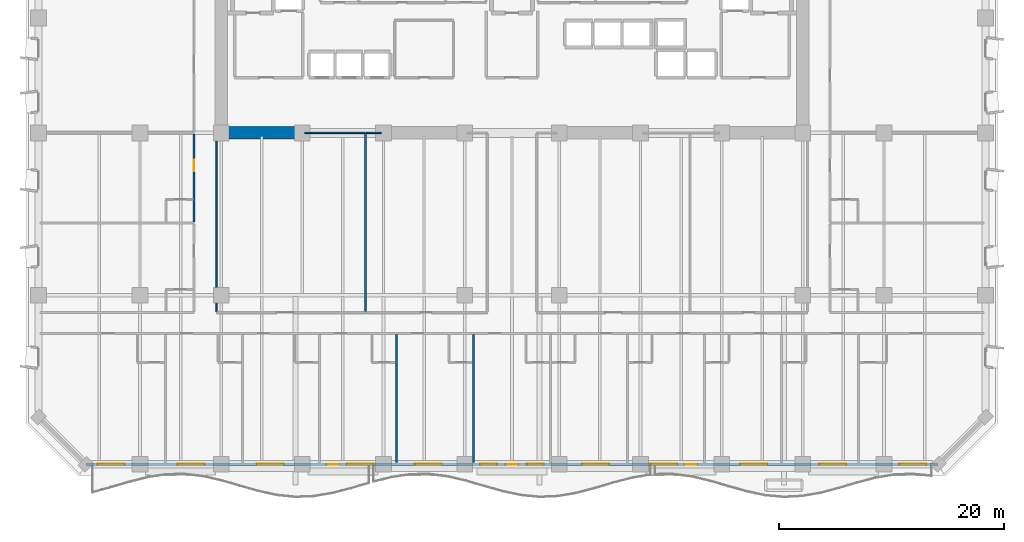
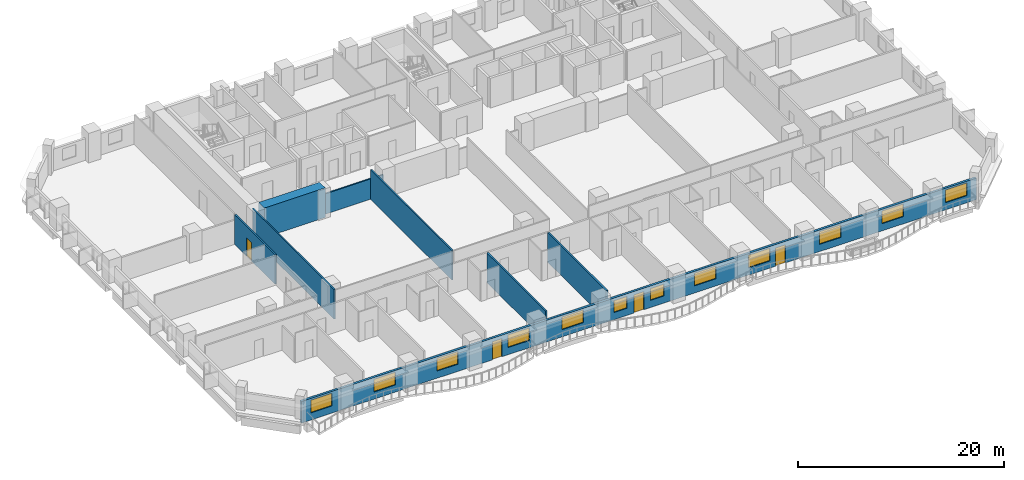
# One storey, part 5 of 15: 12 windows, 9 walls, 4 doors, 16 openings.
"""IFC4 building model written with IfcOpenShell, lengths in metres."""

from ifc_helpers import new_model, si_unit, direction, frame, frame_2d, origin, place, context, subcontext, project, spatial, rectangle, extrude, material, layer, layer_set, type_object, element, fill, save


model = new_model("IFC4")

# Units and contexts
model_context = context("Model", 3, precision=1e-05, world=origin(), true_north=direction((0.0, 1.0)))
body_context = subcontext(model_context, "Body", "Model", "MODEL_VIEW")
ifc_project = project(units=[si_unit("LENGTHUNIT", "METRE"), si_unit("AREAUNIT", "SQUARE_METRE"), si_unit("VOLUMEUNIT", "CUBIC_METRE"), si_unit("PLANEANGLEUNIT", "RADIAN"), si_unit("MASSUNIT", "GRAM", prefix="KILO")], contexts=[model_context])

# Site, building, storey
site_placement = place(None, origin())
site = spatial("IfcSite", under=ifc_project, at=site_placement, CompositionType="ELEMENT")
building_placement = place(site_placement, origin())
building = spatial("IfcBuilding", under=site, at=building_placement, Name="Kaelvorn Grand Hotel", CompositionType="ELEMENT")
storey_placement = place(building_placement, frame((0.0, 0.0, 50.14990234375)))
storey = spatial("IfcBuildingStorey", under=building, at=storey_placement, Name="L10", CompositionType="ELEMENT", Elevation=50.14990234375)

# Wall
ifc_material_1 = material(Name="Concrete C80/95", Category="concrete")
ifc_layer_1 = layer(ifc_material_1, 1.10009765625)
ifc_layer_set_1 = layer_set([ifc_layer_1], Name="Concrete C80/95")
wall_type_1 = type_object("IfcWallType", Name="WL-CORE-1100-C80", PredefinedType="SHEAR", material=ifc_layer_set_1)
wall_1_placement = place(storey_placement, frame((16.7548828125, 29.39990234375, 0.0), z_axis=(0.0, 0.0, 1.0), x_axis=(1.0, 0.0, 0.0)))
element("IfcWall", 1, at=wall_1_placement, inside=storey, type_object=wall_type_1, Name="L10 Rear-Core Coupled Shear Pier S1", PredefinedType="SHEAR", context=body_context, shape_type="SweptSolid", body=[
    extrude(rectangle(XDim=6.84521484375, YDim=1.10009765625, at=frame_2d((3.422607421875, 0.0))), origin(), (0.0, 0.0, 1.0), 3.510009765625),
])

# Wall, openings, doors, windows
ifc_material_2 = material(Name="Concrete C40/50", Category="concrete")
ifc_layer_2 = layer(ifc_material_2, 0.260009765625)
ifc_layer_set_2 = layer_set([ifc_layer_2], Name="Concrete C40/50")
wall_type_2 = type_object("IfcWallType", Name="WL-EXT-260-C40", PredefinedType="SOLIDWALL", material=ifc_layer_set_2)
wall_2_placement = place(storey_placement, frame((4.199951171875, 0.0, 0.0), z_axis=(0.0, 0.0, 1.0), x_axis=(1.0, 0.0, 0.0)))
wall_2 = element("IfcWall", 2, at=wall_2_placement, inside=storey, type_object=wall_type_2, Name="L10 Exterior Architectural Concrete Wall 01", PredefinedType="SOLIDWALL", context=body_context, shape_type="SweptSolid", body=[
    extrude(rectangle(XDim=75.60009765625, YDim=0.260009765625, at=frame_2d((37.800048828125, 0.0))), origin(), (0.0, 0.0, 1.0), 2.56005859375),
])
opening_1_placement = place(wall_2_placement, frame((21.38330078125, 0.0, 0.0)))
opening_1 = element("IfcOpeningElement", 3, at=opening_1_placement, cuts=wall_2, Name="Opening DE2", PredefinedType="OPENING", context=body_context, shape_type="SweptSolid", body=[
    extrude(rectangle(XDim=1.10009765625, YDim=2.14990234375, at=frame_2d((0.550048828125, 1.074951171875))), frame((0.0, 0.14013671875, 0.0), z_axis=(0.0, -1.0, 0.0), x_axis=(1.0, 0.0, 0.0)), (0.0, 0.0, 1.0), 0.280029296875),
])
opening_2_placement = place(wall_2_placement, frame((37.25, 0.0, 0.0)))
opening_2 = element("IfcOpeningElement", 4, at=opening_2_placement, cuts=wall_2, Name="Opening DE2", PredefinedType="OPENING", context=body_context, shape_type="SweptSolid", body=[
    extrude(rectangle(XDim=1.10009765625, YDim=2.14990234375, at=frame_2d((0.550048828125, 1.074951171875))), frame((0.0, 0.14013671875, 0.0), z_axis=(0.0, -1.0, 0.0), x_axis=(1.0, 0.0, 0.0)), (0.0, 0.0, 1.0), 0.280029296875),
])
opening_3_placement = place(wall_2_placement, frame((53.11669921875, 0.0, 0.0)))
opening_3 = element("IfcOpeningElement", 5, at=opening_3_placement, cuts=wall_2, Name="Opening DE2", PredefinedType="OPENING", context=body_context, shape_type="SweptSolid", body=[
    extrude(rectangle(XDim=1.10009765625, YDim=2.14990234375, at=frame_2d((0.550048828125, 1.074951171875))), frame((0.0, 0.14013671875, 0.0), z_axis=(0.0, -1.0, 0.0), x_axis=(1.0, 0.0, 0.0)), (0.0, 0.0, 1.0), 0.280029296875),
])
opening_4_placement = place(wall_2_placement, frame((1.034912109375, 0.0, 0.85009765625)))
opening_4 = element("IfcOpeningElement", 6, at=opening_4_placement, cuts=wall_2, Name="Opening W6", PredefinedType="OPENING", context=body_context, shape_type="SweptSolid", body=[
    extrude(rectangle(XDim=2.39990234375, YDim=1.5, at=frame_2d((1.199951171875, 0.75))), frame((0.0, 0.14013671875, 0.0), z_axis=(0.0, -1.0, 0.0), x_axis=(1.0, 0.0, 0.0)), (0.0, 0.0, 1.0), 0.280029296875),
])
opening_5_placement = place(wall_2_placement, frame((8.138427734375, 0.0, 0.85009765625)))
opening_5 = element("IfcOpeningElement", 7, at=opening_5_placement, cuts=wall_2, Name="Opening W6", PredefinedType="OPENING", context=body_context, shape_type="SweptSolid", body=[
    extrude(rectangle(XDim=2.39990234375, YDim=1.5, at=frame_2d((1.199951171875, 0.75))), frame((0.0, 0.14013671875, 0.0), z_axis=(0.0, -1.0, 0.0), x_axis=(1.0, 0.0, 0.0)), (0.0, 0.0, 1.0), 0.280029296875),
])
opening_6_placement = place(wall_2_placement, frame((15.152587890625, 0.0, 0.85009765625)))
opening_6 = element("IfcOpeningElement", 8, at=opening_6_placement, cuts=wall_2, Name="Opening W6", PredefinedType="OPENING", context=body_context, shape_type="SweptSolid", body=[
    extrude(rectangle(XDim=2.39990234375, YDim=1.5, at=frame_2d((1.199951171875, 0.75))), frame((0.0, 0.14013671875, 0.0), z_axis=(0.0, -1.0, 0.0), x_axis=(1.0, 0.0, 0.0)), (0.0, 0.0, 1.0), 0.280029296875),
])
opening_7_placement = place(wall_2_placement, frame((23.126708984375, 0.0, 0.85009765625)))
opening_7 = element("IfcOpeningElement", 9, at=opening_7_placement, cuts=wall_2, Name="Opening W6", PredefinedType="OPENING", context=body_context, shape_type="SweptSolid", body=[
    extrude(rectangle(XDim=2.39990234375, YDim=1.5, at=frame_2d((1.199951171875, 0.75))), frame((0.0, 0.14013671875, 0.0), z_axis=(0.0, -1.0, 0.0), x_axis=(1.0, 0.0, 0.0)), (0.0, 0.0, 1.0), 0.280029296875),
])
opening_8_placement = place(wall_2_placement, frame((29.179443359375, 0.0, 0.85009765625)))
opening_8 = element("IfcOpeningElement", 10, at=opening_8_placement, cuts=wall_2, Name="Opening W6", PredefinedType="OPENING", context=body_context, shape_type="SweptSolid", body=[
    extrude(rectangle(XDim=2.39990234375, YDim=1.5, at=frame_2d((1.199951171875, 0.75))), frame((0.0, 0.14013671875, 0.0), z_axis=(0.0, -1.0, 0.0), x_axis=(1.0, 0.0, 0.0)), (0.0, 0.0, 1.0), 0.280029296875),
])
opening_9_placement = place(wall_2_placement, frame((34.98291015625, 0.0, 0.85009765625)))
opening_9 = element("IfcOpeningElement", 11, at=opening_9_placement, cuts=wall_2, Name="Opening W10", PredefinedType="OPENING", context=body_context, shape_type="SweptSolid", body=[
    extrude(rectangle(XDim=1.5, YDim=1.39990234375, at=frame_2d((0.75, 0.699951171875))), frame((0.0, 0.14013671875, 0.0), z_axis=(0.0, -1.0, 0.0), x_axis=(1.0, 0.0, 0.0)), (0.0, 0.0, 1.0), 0.280029296875),
])
opening_10_placement = place(wall_2_placement, frame((39.116943359375, 0.0, 0.85009765625)))
opening_10 = element("IfcOpeningElement", 12, at=opening_10_placement, cuts=wall_2, Name="Opening W10", PredefinedType="OPENING", context=body_context, shape_type="SweptSolid", body=[
    extrude(rectangle(XDim=1.5, YDim=1.39990234375, at=frame_2d((0.75, 0.699951171875))), frame((0.0, 0.14013671875, 0.0), z_axis=(0.0, -1.0, 0.0), x_axis=(1.0, 0.0, 0.0)), (0.0, 0.0, 1.0), 0.280029296875),
])
opening_11_placement = place(wall_2_placement, frame((44.0205078125, 0.0, 0.85009765625)))
opening_11 = element("IfcOpeningElement", 13, at=opening_11_placement, cuts=wall_2, Name="Opening W6", PredefinedType="OPENING", context=body_context, shape_type="SweptSolid", body=[
    extrude(rectangle(XDim=2.39990234375, YDim=1.5, at=frame_2d((1.199951171875, 0.75))), frame((0.0, 0.14013671875, 0.0), z_axis=(0.0, -1.0, 0.0), x_axis=(1.0, 0.0, 0.0)), (0.0, 0.0, 1.0), 0.280029296875),
])
opening_12_placement = place(wall_2_placement, frame((50.0732421875, 0.0, 0.85009765625)))
opening_12 = element("IfcOpeningElement", 14, at=opening_12_placement, cuts=wall_2, Name="Opening W6", PredefinedType="OPENING", context=body_context, shape_type="SweptSolid", body=[
    extrude(rectangle(XDim=2.39990234375, YDim=1.5, at=frame_2d((1.199951171875, 0.75))), frame((0.0, 0.14013671875, 0.0), z_axis=(0.0, -1.0, 0.0), x_axis=(1.0, 0.0, 0.0)), (0.0, 0.0, 1.0), 0.280029296875),
])
opening_13_placement = place(wall_2_placement, frame((58.047607421875, 0.0, 0.85009765625)))
opening_13 = element("IfcOpeningElement", 15, at=opening_13_placement, cuts=wall_2, Name="Opening W6", PredefinedType="OPENING", context=body_context, shape_type="SweptSolid", body=[
    extrude(rectangle(XDim=2.39990234375, YDim=1.5, at=frame_2d((1.199951171875, 0.75))), frame((0.0, 0.14013671875, 0.0), z_axis=(0.0, -1.0, 0.0), x_axis=(1.0, 0.0, 0.0)), (0.0, 0.0, 1.0), 0.280029296875),
])
opening_14_placement = place(wall_2_placement, frame((65.0615234375, 0.0, 0.85009765625)))
opening_14 = element("IfcOpeningElement", 16, at=opening_14_placement, cuts=wall_2, Name="Opening W6", PredefinedType="OPENING", context=body_context, shape_type="SweptSolid", body=[
    extrude(rectangle(XDim=2.39990234375, YDim=1.5, at=frame_2d((1.199951171875, 0.75))), frame((0.0, 0.14013671875, 0.0), z_axis=(0.0, -1.0, 0.0), x_axis=(1.0, 0.0, 0.0)), (0.0, 0.0, 1.0), 0.280029296875),
])
opening_15_placement = place(wall_2_placement, frame((72.1650390625, 0.0, 0.85009765625)))
opening_15 = element("IfcOpeningElement", 17, at=opening_15_placement, cuts=wall_2, Name="Opening W6", PredefinedType="OPENING", context=body_context, shape_type="SweptSolid", body=[
    extrude(rectangle(XDim=2.39990234375, YDim=1.5, at=frame_2d((1.199951171875, 0.75))), frame((0.0, 0.14013671875, 0.0), z_axis=(0.0, -1.0, 0.0), x_axis=(1.0, 0.0, 0.0)), (0.0, 0.0, 1.0), 0.280029296875),
])
ifc_material_3 = material(Name="Anodised Aluminium", Category="aluminium")
door_type_1 = type_object("IfcDoorType", Name="DR-EXT-BALC-1100x2150", OperationType="NOTDEFINED", PredefinedType="DOOR", material=ifc_material_3)
door_1_placement = place(opening_1_placement, origin())
door_1 = element("IfcDoor", 18, at=door_1_placement, inside=storey, type_object=door_type_1, Name="L10 Scalloped Balcony Glazed Door DE2-1", OperationType="SINGLE_SWING_LEFT", OverallHeight=2.14990234375, OverallWidth=1.10009765625, PredefinedType="DOOR", context=body_context, shape_type="SweptSolid", body=[
    extrude(rectangle(XDim=1.10009765625, YDim=2.14990234375, at=frame_2d((0.550048828125, 1.074951171875))), frame((0.0, 0.02490234375, 0.0), z_axis=(0.0, -1.0, 0.0), x_axis=(1.0, 0.0, 0.0)), (0.0, 0.0, 1.0), 0.050048828125),
])
fill(opening_1, door_1)
door_2_placement = place(opening_2_placement, origin())
door_2 = element("IfcDoor", 19, at=door_2_placement, inside=storey, type_object=door_type_1, Name="L10 Scalloped Balcony Glazed Door DE2-2", OperationType="SINGLE_SWING_RIGHT", OverallHeight=2.14990234375, OverallWidth=1.10009765625, PredefinedType="DOOR", context=body_context, shape_type="SweptSolid", body=[
    extrude(rectangle(XDim=1.10009765625, YDim=2.14990234375, at=frame_2d((0.550048828125, 1.074951171875))), frame((0.0, 0.02490234375, 0.0), z_axis=(0.0, -1.0, 0.0), x_axis=(1.0, 0.0, 0.0)), (0.0, 0.0, 1.0), 0.050048828125),
])
fill(opening_2, door_2)
door_3_placement = place(opening_3_placement, origin())
door_3 = element("IfcDoor", 20, at=door_3_placement, inside=storey, type_object=door_type_1, Name="L10 Scalloped Balcony Glazed Door DE2-3", OperationType="SINGLE_SWING_LEFT", OverallHeight=2.14990234375, OverallWidth=1.10009765625, PredefinedType="DOOR", context=body_context, shape_type="SweptSolid", body=[
    extrude(rectangle(XDim=1.10009765625, YDim=2.14990234375, at=frame_2d((0.550048828125, 1.074951171875))), frame((0.0, 0.02490234375, 0.0), z_axis=(0.0, -1.0, 0.0), x_axis=(1.0, 0.0, 0.0)), (0.0, 0.0, 1.0), 0.050048828125),
])
fill(opening_3, door_3)
ifc_material_4 = material(Name="Laminated Low-E Glass", Category="glass")
window_type_1 = type_object("IfcWindowType", Name="WIN-COR-1500x1400", PartitioningType="SINGLE_PANEL", PredefinedType="WINDOW", material=ifc_material_4)
window_1_placement = place(opening_9_placement, origin())
window_1 = element("IfcWindow", 21, at=window_1_placement, inside=storey, type_object=window_type_1, Name="L10 South Guestroom Ribbon Window SR06", OverallHeight=1.39990234375, OverallWidth=1.5, PartitioningType="SINGLE_PANEL", PredefinedType="WINDOW", context=body_context, shape_type="SweptSolid", body=[
    extrude(rectangle(XDim=1.5, YDim=1.39990234375, at=frame_2d((0.75, 0.699951171875))), frame((0.0, 0.030029296875, 0.0), z_axis=(0.0, -1.0, 0.0), x_axis=(1.0, 0.0, 0.0)), (0.0, 0.0, 1.0), 0.06005859375),
])
fill(opening_9, window_1)
window_2_placement = place(opening_10_placement, origin())
window_2 = element("IfcWindow", 22, at=window_2_placement, inside=storey, type_object=window_type_1, Name="L10 South Guestroom Ribbon Window SR07", OverallHeight=1.39990234375, OverallWidth=1.5, PartitioningType="SINGLE_PANEL", PredefinedType="WINDOW", context=body_context, shape_type="SweptSolid", body=[
    extrude(rectangle(XDim=1.5, YDim=1.39990234375, at=frame_2d((0.75, 0.699951171875))), frame((0.0, 0.030029296875, 0.0), z_axis=(0.0, -1.0, 0.0), x_axis=(1.0, 0.0, 0.0)), (0.0, 0.0, 1.0), 0.06005859375),
])
fill(opening_10, window_2)
window_type_2 = type_object("IfcWindowType", Name="WIN-NTH-2400x1500", PartitioningType="SINGLE_PANEL", PredefinedType="WINDOW", material=ifc_material_4)
window_3_placement = place(opening_4_placement, origin())
window_3 = element("IfcWindow", 23, at=window_3_placement, inside=storey, type_object=window_type_2, Name="L10 South Guestroom Ribbon Window SR01", OverallHeight=1.5, OverallWidth=2.39990234375, PartitioningType="SINGLE_PANEL", PredefinedType="WINDOW", context=body_context, shape_type="SweptSolid", body=[
    extrude(rectangle(XDim=2.39990234375, YDim=1.5, at=frame_2d((1.199951171875, 0.75))), frame((0.0, 0.030029296875, 0.0), z_axis=(0.0, -1.0, 0.0), x_axis=(1.0, 0.0, 0.0)), (0.0, 0.0, 1.0), 0.06005859375),
])
fill(opening_4, window_3)
window_4_placement = place(opening_5_placement, origin())
window_4 = element("IfcWindow", 24, at=window_4_placement, inside=storey, type_object=window_type_2, Name="L10 South Guestroom Ribbon Window SR02", OverallHeight=1.5, OverallWidth=2.39990234375, PartitioningType="SINGLE_PANEL", PredefinedType="WINDOW", context=body_context, shape_type="SweptSolid", body=[
    extrude(rectangle(XDim=2.39990234375, YDim=1.5, at=frame_2d((1.199951171875, 0.75))), frame((0.0, 0.030029296875, 0.0), z_axis=(0.0, -1.0, 0.0), x_axis=(1.0, 0.0, 0.0)), (0.0, 0.0, 1.0), 0.06005859375),
])
fill(opening_5, window_4)
window_5_placement = place(opening_6_placement, origin())
window_5 = element("IfcWindow", 25, at=window_5_placement, inside=storey, type_object=window_type_2, Name="L10 South Guestroom Ribbon Window SR03", OverallHeight=1.5, OverallWidth=2.39990234375, PartitioningType="SINGLE_PANEL", PredefinedType="WINDOW", context=body_context, shape_type="SweptSolid", body=[
    extrude(rectangle(XDim=2.39990234375, YDim=1.5, at=frame_2d((1.199951171875, 0.75))), frame((0.0, 0.030029296875, 0.0), z_axis=(0.0, -1.0, 0.0), x_axis=(1.0, 0.0, 0.0)), (0.0, 0.0, 1.0), 0.06005859375),
])
fill(opening_6, window_5)
window_6_placement = place(opening_7_placement, origin())
window_6 = element("IfcWindow", 26, at=window_6_placement, inside=storey, type_object=window_type_2, Name="L10 South Guestroom Ribbon Window SR04", OverallHeight=1.5, OverallWidth=2.39990234375, PartitioningType="SINGLE_PANEL", PredefinedType="WINDOW", context=body_context, shape_type="SweptSolid", body=[
    extrude(rectangle(XDim=2.39990234375, YDim=1.5, at=frame_2d((1.199951171875, 0.75))), frame((0.0, 0.030029296875, 0.0), z_axis=(0.0, -1.0, 0.0), x_axis=(1.0, 0.0, 0.0)), (0.0, 0.0, 1.0), 0.06005859375),
])
fill(opening_7, window_6)
window_7_placement = place(opening_8_placement, origin())
window_7 = element("IfcWindow", 27, at=window_7_placement, inside=storey, type_object=window_type_2, Name="L10 South Guestroom Ribbon Window SR05", OverallHeight=1.5, OverallWidth=2.39990234375, PartitioningType="SINGLE_PANEL", PredefinedType="WINDOW", context=body_context, shape_type="SweptSolid", body=[
    extrude(rectangle(XDim=2.39990234375, YDim=1.5, at=frame_2d((1.199951171875, 0.75))), frame((0.0, 0.030029296875, 0.0), z_axis=(0.0, -1.0, 0.0), x_axis=(1.0, 0.0, 0.0)), (0.0, 0.0, 1.0), 0.06005859375),
])
fill(opening_8, window_7)
window_8_placement = place(opening_11_placement, origin())
window_8 = element("IfcWindow", 28, at=window_8_placement, inside=storey, type_object=window_type_2, Name="L10 South Guestroom Ribbon Window SR08", OverallHeight=1.5, OverallWidth=2.39990234375, PartitioningType="SINGLE_PANEL", PredefinedType="WINDOW", context=body_context, shape_type="SweptSolid", body=[
    extrude(rectangle(XDim=2.39990234375, YDim=1.5, at=frame_2d((1.199951171875, 0.75))), frame((0.0, 0.030029296875, 0.0), z_axis=(0.0, -1.0, 0.0), x_axis=(1.0, 0.0, 0.0)), (0.0, 0.0, 1.0), 0.06005859375),
])
fill(opening_11, window_8)
window_9_placement = place(opening_12_placement, origin())
window_9 = element("IfcWindow", 29, at=window_9_placement, inside=storey, type_object=window_type_2, Name="L10 South Guestroom Ribbon Window SR09", OverallHeight=1.5, OverallWidth=2.39990234375, PartitioningType="SINGLE_PANEL", PredefinedType="WINDOW", context=body_context, shape_type="SweptSolid", body=[
    extrude(rectangle(XDim=2.39990234375, YDim=1.5, at=frame_2d((1.199951171875, 0.75))), frame((0.0, 0.030029296875, 0.0), z_axis=(0.0, -1.0, 0.0), x_axis=(1.0, 0.0, 0.0)), (0.0, 0.0, 1.0), 0.06005859375),
])
fill(opening_12, window_9)
window_10_placement = place(opening_13_placement, origin())
window_10 = element("IfcWindow", 30, at=window_10_placement, inside=storey, type_object=window_type_2, Name="L10 South Guestroom Ribbon Window SR10", OverallHeight=1.5, OverallWidth=2.39990234375, PartitioningType="SINGLE_PANEL", PredefinedType="WINDOW", context=body_context, shape_type="SweptSolid", body=[
    extrude(rectangle(XDim=2.39990234375, YDim=1.5, at=frame_2d((1.199951171875, 0.75))), frame((0.0, 0.030029296875, 0.0), z_axis=(0.0, -1.0, 0.0), x_axis=(1.0, 0.0, 0.0)), (0.0, 0.0, 1.0), 0.06005859375),
])
fill(opening_13, window_10)
window_11_placement = place(opening_14_placement, origin())
window_11 = element("IfcWindow", 31, at=window_11_placement, inside=storey, type_object=window_type_2, Name="L10 South Guestroom Ribbon Window SR11", OverallHeight=1.5, OverallWidth=2.39990234375, PartitioningType="SINGLE_PANEL", PredefinedType="WINDOW", context=body_context, shape_type="SweptSolid", body=[
    extrude(rectangle(XDim=2.39990234375, YDim=1.5, at=frame_2d((1.199951171875, 0.75))), frame((0.0, 0.030029296875, 0.0), z_axis=(0.0, -1.0, 0.0), x_axis=(1.0, 0.0, 0.0)), (0.0, 0.0, 1.0), 0.06005859375),
])
fill(opening_14, window_11)
window_12_placement = place(opening_15_placement, origin())
window_12 = element("IfcWindow", 32, at=window_12_placement, inside=storey, type_object=window_type_2, Name="L10 South Guestroom Ribbon Window SR12", OverallHeight=1.5, OverallWidth=2.39990234375, PartitioningType="SINGLE_PANEL", PredefinedType="WINDOW", context=body_context, shape_type="SweptSolid", body=[
    extrude(rectangle(XDim=2.39990234375, YDim=1.5, at=frame_2d((1.199951171875, 0.75))), frame((0.0, 0.030029296875, 0.0), z_axis=(0.0, -1.0, 0.0), x_axis=(1.0, 0.0, 0.0)), (0.0, 0.0, 1.0), 0.06005859375),
])
fill(opening_15, window_12)

# Walls
ifc_material_5 = material(Name="Acoustic Gypsum & Stud Partition")
ifc_layer_3 = layer(ifc_material_5, 0.14990234375)
ifc_layer_set_3 = layer_set([ifc_layer_3], Name="Acoustic Gypsum & Stud Partition")
wall_type_3 = type_object("IfcWallType", Name="WL-PART-150-EI60", PredefinedType="PARTITIONING", material=ifc_layer_set_3)
wall_3_placement = place(storey_placement, frame((23.610107421875, 29.39990234375, 0.0), z_axis=(0.0, 0.0, 1.0), x_axis=(1.0, 0.0, 0.0)))
element("IfcWall", 33, at=wall_3_placement, inside=storey, type_object=wall_type_3, Name="L10 Reading Library Lounge N Partition", PredefinedType="PARTITIONING", context=body_context, shape_type="SweptSolid", body=[
    extrude(rectangle(XDim=5.389892578125, YDim=0.14990234375, at=frame_2d((2.69482421875, 0.0))), origin(), (0.0, 0.0, 1.0), 2.41015625),
])
wall_4_placement = place(storey_placement, frame((15.800048828125, 13.530029296875, 0.0), z_axis=(0.0, 0.0, 1.0), x_axis=(0.0, 1.0, 0.0)))
element("IfcWall", 34, at=wall_4_placement, inside=storey, type_object=wall_type_3, Name="L10 Reading Library Lounge W Partition", PredefinedType="PARTITIONING", context=body_context, shape_type="SweptSolid", body=[
    extrude(rectangle(XDim=15.85986328125, YDim=0.14990234375, at=frame_2d((7.929931640625, 0.0))), origin(), (0.0, 0.0, 1.0), 3.510009765625),
])
wall_5_placement = place(storey_placement, frame((29.0, 13.530029296875, 0.0), z_axis=(0.0, 0.0, 1.0), x_axis=(0.0, 1.0, 0.0)))
element("IfcWall", 35, at=wall_5_placement, inside=storey, type_object=wall_type_3, Name="L10 Reading Library Lounge E Partition", PredefinedType="PARTITIONING", context=body_context, shape_type="SweptSolid", body=[
    extrude(rectangle(XDim=15.7900390625, YDim=0.14990234375, at=frame_2d((7.89501953125, 0.0))), origin(), (0.0, 0.0, 1.0), 3.510009765625),
])
wall_6_placement = place(storey_placement, frame((29.080078125, 29.39990234375, 0.0), z_axis=(0.0, 0.0, 1.0), x_axis=(1.0, 0.0, 0.0)))
element("IfcWall", 36, at=wall_6_placement, inside=storey, type_object=wall_type_3, Name="L10 Chef Finishing Kitchen N Partition (1)", PredefinedType="PARTITIONING", context=body_context, shape_type="SweptSolid", body=[
    extrude(rectangle(XDim=1.309814453125, YDim=0.14990234375, at=frame_2d((0.65478515625, 0.0))), origin(), (0.0, 0.0, 1.0), 2.41015625),
])
ifc_layer_4 = layer(ifc_material_5, 0.179931640625)
ifc_layer_set_4 = layer_set([ifc_layer_4], Name="Acoustic Gypsum & Stud Partition")
wall_type_4 = type_object("IfcWallType", Name="WL-PART-180-EI60", PredefinedType="PARTITIONING", material=ifc_layer_set_4)
for number, where, z_axis, x_axis, name in (
    (37, (31.759033203125, 0.14990234375, 0.0), (0.0, 0.0, 1.0), (0.0, 1.0, 0.0), "L10 Deluxe Panoramic Suite L10-04 E Partition"),
    (38, (38.58642578125, 0.14990234375, 0.0), (0.0, 0.0, 1.0), (0.0, 1.0, 0.0), "L10 Deluxe Panoramic Suite L10-05 E Partition"),
):
    element("IfcWall", number, at=place(storey_placement, frame(where, z_axis=z_axis, x_axis=x_axis)), inside=storey, type_object=wall_type_4, Name=name, PredefinedType="PARTITIONING", context=body_context, shape_type="SweptSolid", body=[
        extrude(rectangle(XDim=11.35498046875, YDim=0.179931640625, at=frame_2d((5.677490234375, 0.0))), origin(), (0.0, 0.0, 1.0), 3.510009765625),
    ])

# Wall, opening, door
wall_7_placement = place(storey_placement, frame((13.800048828125, 21.514892578125, 0.0), z_axis=(0.0, 0.0, 1.0), x_axis=(0.0, 1.0, 0.0)))
wall_7 = element("IfcWall", 39, at=wall_7_placement, inside=storey, type_object=wall_type_4, Name="L10 West Mid-Wing Suite L10-13 E Partition", PredefinedType="PARTITIONING", context=body_context, shape_type="SweptSolid", body=[
    extrude(rectangle(XDim=7.7900390625, YDim=0.179931640625, at=frame_2d((3.89501953125, 0.0))), origin(), (0.0, 0.0, 1.0), 3.510009765625),
])
opening_16_placement = place(wall_7_placement, frame((4.489990234375, 0.0, 0.0)))
opening_16 = element("IfcOpeningElement", 40, at=opening_16_placement, cuts=wall_7, Name="Opening DI3", PredefinedType="OPENING", context=body_context, shape_type="SweptSolid", body=[
    extrude(rectangle(XDim=1.0, YDim=2.14990234375, at=frame_2d((0.5, 1.074951171875))), frame((0.0, 0.10009765625, 0.0), z_axis=(0.0, -1.0, 0.0), x_axis=(1.0, 0.0, 0.0)), (0.0, 0.0, 1.0), 0.199951171875),
])
ifc_material_6 = material(Name="Timber Veneer Fire Leaf", Category="wood")
door_type_2 = type_object("IfcDoorType", Name="DR-INT-GUEST-1000x2150", OperationType="NOTDEFINED", PredefinedType="DOOR", material=ifc_material_6)
door_4_placement = place(opening_16_placement, origin())
door_4 = element("IfcDoor", 41, at=door_4_placement, inside=storey, type_object=door_type_2, Name="L10 West Mid-Wing Suite L10-13 Door", OperationType="SINGLE_SWING_RIGHT", OverallHeight=2.14990234375, OverallWidth=1.0, PredefinedType="DOOR", context=body_context, shape_type="SweptSolid", body=[
    extrude(rectangle(XDim=1.0, YDim=2.14990234375, at=frame_2d((0.5, 1.074951171875))), frame((0.0, 0.02490234375, 0.0), z_axis=(0.0, -1.0, 0.0), x_axis=(1.0, 0.0, 0.0)), (0.0, 0.0, 1.0), 0.050048828125),
])
fill(opening_16, door_4)

save(model, "model.ifc")
